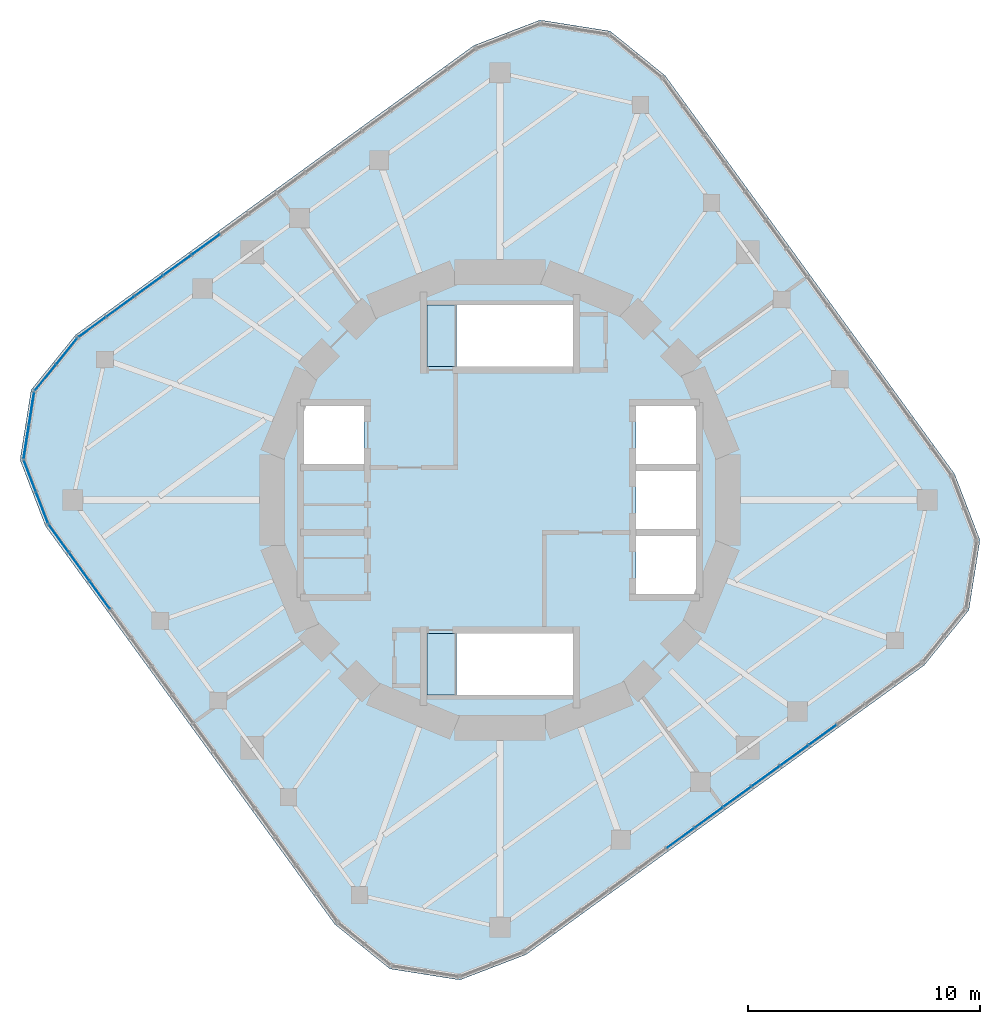
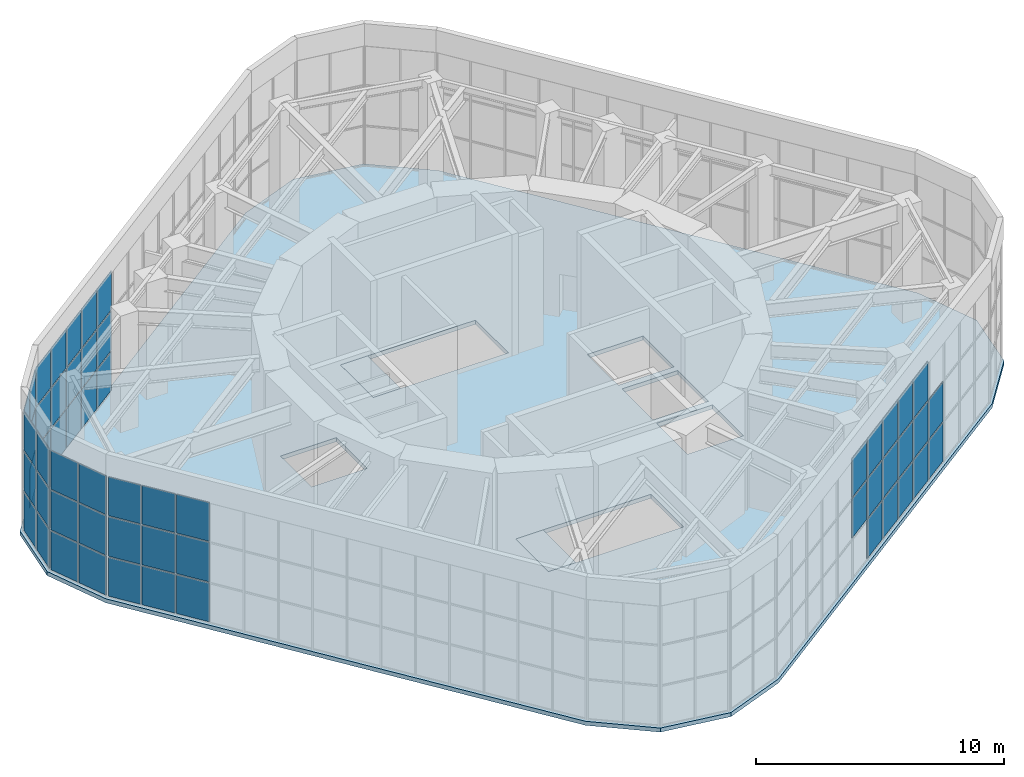
# One storey, part 12 of 17: 58 plates, 3 slabs, 6 elements without a shape of their own.
"""IFC4 building model written with IfcOpenShell, lengths in metres."""

import ifcopenshell
import ifcopenshell.guid

model = None  # the IFC model being written
_history = None  # IfcOwnerHistory: only IFC2X3 demands one
_inside = {}  # id of a spatial element -> (the spatial element, [elements in it])
_under = {}  # id of a project, library or spatial element -> (it, [spatial elements below it])
_declared = {}  # id of a project -> (the project, [libraries it declares])
_typed = {}  # id of a type object -> (the type object, [elements of that type])
_made_of = {}  # id of a material, layer set ... -> (it, [elements and type objects made of it])


def new_model(schema):
    """Start an empty IFC model of exactly this schema.

    Asked for "IFC4X3", IfcOpenShell would pick the latest addendum, in which some entities
    have other attributes; the version numbers below select the first issue.
    IFC2X3 requires an IfcOwnerHistory on every rooted entity: one is made here for all.
    """
    global model, _history
    if schema == "IFC4X3":
        model = ifcopenshell.file(schema_version=(4, 3, 0, 0))
    else:
        model = ifcopenshell.file(schema=schema)
    _inside.clear()
    _under.clear()
    _declared.clear()
    _typed.clear()
    _made_of.clear()
    _history = None
    if model.schema == "IFC2X3":
        org = make("IfcOrganization", Name="unknown")
        user = make(
            "IfcPersonAndOrganization",
            ThePerson=make("IfcPerson", FamilyName="unknown"),
            TheOrganization=org,
        )
        app = make(
            "IfcApplication",
            ApplicationDeveloper=org,
            Version="unknown",
            ApplicationFullName="unknown",
            ApplicationIdentifier="unknown",
        )
        _history = make(
            "IfcOwnerHistory",
            OwningUser=user,
            OwningApplication=app,
            ChangeAction="ADDED",
            CreationDate=0,
        )
    return model


def make(cls, **values):
    """One entity of the class cls with the attributes given. An attribute that is None is left unset."""
    return model.create_entity(
        cls, **{name: value for name, value in values.items() if value is not None}
    )


def rooted(cls, **values):
    """An entity with a GlobalId (a new one), such as an element, a storey or a relation."""
    return make(cls, GlobalId=ifcopenshell.guid.new(), OwnerHistory=_history, **values)


def si_unit(unit_type, name, prefix=None):
    """IfcSIUnit, for example si_unit("LENGTHUNIT", "METRE", prefix="MILLI")."""
    return make("IfcSIUnit", UnitType=unit_type, Prefix=prefix, Name=name)


def assignment(units):
    """IfcUnitAssignment: the units of a project."""
    return None if units is None else make("IfcUnitAssignment", Units=units)


def point(xyz):
    """IfcCartesianPoint."""
    return None if xyz is None else make("IfcCartesianPoint", Coordinates=xyz)


def direction(xyz):
    """IfcDirection."""
    return None if xyz is None else make("IfcDirection", DirectionRatios=xyz)


def frame(location, z_axis=None, x_axis=None):
    """IfcAxis2Placement3D, a coordinate frame: its origin and axes. An axis left out is left unset."""
    return make(
        "IfcAxis2Placement3D",
        Location=point(location),
        Axis=direction(z_axis),
        RefDirection=direction(x_axis),
    )


def frame_2d(location, x_axis=None):
    """IfcAxis2Placement2D, a coordinate frame in the plane: its origin and x axis."""
    return make(
        "IfcAxis2Placement2D", Location=point(location), RefDirection=direction(x_axis)
    )


def origin():
    """The frame at (0, 0, 0) with its axes left unset."""
    return frame((0.0, 0.0, 0.0))


def origin_2d():
    """The frame at (0, 0) in the plane with its x axis left unset."""
    return frame_2d((0.0, 0.0))


def place(relative_to, where):
    """IfcLocalPlacement: puts the frame where relative to a parent placement (None: the world)."""
    return make(
        "IfcLocalPlacement", PlacementRelTo=relative_to, RelativePlacement=where
    )


def context(
    kind, dimensions, precision=None, world=None, true_north=None, identifier=None
):
    """IfcGeometricRepresentationContext, for example the 3D "Model" context."""
    return make(
        "IfcGeometricRepresentationContext",
        ContextIdentifier=identifier,
        ContextType=kind,
        CoordinateSpaceDimension=dimensions,
        Precision=precision,
        WorldCoordinateSystem=world,
        TrueNorth=true_north,
    )


def subcontext(parent, identifier, kind, view, scale=None):
    """IfcGeometricRepresentationSubContext, for example "Body" below "Model"."""
    return make(
        "IfcGeometricRepresentationSubContext",
        ContextIdentifier=identifier,
        ContextType=kind,
        ParentContext=parent,
        TargetScale=scale,
        TargetView=view,
    )


def project(units=None, contexts=None):
    """IfcProject with its units and contexts."""
    return rooted(
        "IfcProject",
        Name="project",
        RepresentationContexts=contexts,
        UnitsInContext=assignment(units),
    )


def spatial(cls, under=None, at=None, **own):
    """A site, building, storey or space (cls), placed at a placement, below another one or the project."""
    s = rooted(cls, ObjectPlacement=at, **own)
    if under is not None:
        _under.setdefault(under.id(), (under, []))[1].append(s)
    return s


def polyline(points):
    """IfcPolyline through the points."""
    return make("IfcPolyline", Points=[point(p) for p in points])


def profile(cls, at=None, kind="AREA", **sizes):
    """A parametric profile (cls). Its sizes go by their IFC names, for example OverallWidth=200.0."""
    return make(cls, ProfileType=kind, Position=at, **sizes)


def rectangle(**sizes):
    """IfcRectangleProfileDef."""
    return profile("IfcRectangleProfileDef", **sizes)


def outline(outer, holes=None, kind="AREA"):
    """IfcArbitraryClosedProfileDef: a profile drawn as a closed curve; with holes, ...WithVoids."""
    if holes is None:
        return make("IfcArbitraryClosedProfileDef", ProfileType=kind, OuterCurve=outer)
    return make(
        "IfcArbitraryProfileDefWithVoids",
        ProfileType=kind,
        OuterCurve=outer,
        InnerCurves=holes,
    )


def extrude(swept, where, along, depth):
    """IfcExtrudedAreaSolid: the profile swept, set in the frame where, extruded along a direction by depth."""
    return make(
        "IfcExtrudedAreaSolid",
        SweptArea=swept,
        Position=where,
        ExtrudedDirection=direction(along),
        Depth=depth,
    )


def shape(context_of_items, identifier, shape_type, items):
    """IfcShapeRepresentation: the items that make up one representation, for example the "Body"."""
    return make(
        "IfcShapeRepresentation",
        ContextOfItems=context_of_items,
        RepresentationIdentifier=identifier,
        RepresentationType=shape_type,
        Items=items,
    )


def material(Name=None, Category=None):
    """IfcMaterial."""
    return make("IfcMaterial", Name=Name, Category=Category)


def layer(
    of_material, thickness, ventilated=None, Name=None, Category=None, Priority=None
):
    """IfcMaterialLayer: one layer of a wall or slab, of a material (None: an air gap)."""
    return make(
        "IfcMaterialLayer",
        Material=of_material,
        LayerThickness=thickness,
        IsVentilated=ventilated,
        Name=Name,
        Category=Category,
        Priority=Priority,
    )


def layer_set(layers, Name=None):
    """IfcMaterialLayerSet."""
    return make("IfcMaterialLayerSet", MaterialLayers=layers, LayerSetName=Name)


def made_of(thing, what):
    """Note that an element or type object is made of a material, layer set ...; save() writes the relation."""
    if what is not None:
        _made_of.setdefault(what.id(), (what, []))[1].append(thing)
    return thing


def type_object(cls, material=None, **own):
    """A type object (cls), such as IfcWallType, which elements share."""
    return made_of(rooted(cls, **own), material)


def element(
    cls,
    number,
    at=None,
    inside=None,
    cuts=None,
    type_object=None,
    material=None,
    context=None,
    identifier="Body",
    shape_type=None,
    held_by="IfcProductDefinitionShape",
    body=None,
    shapes=None,
    **own,
):
    """One element of the class cls, such as IfcWall. Its Tag is "e" and its number.

    at: its placement. inside: the storey or other place that contains it. cuts: it is an
    opening in that element (IfcRelVoidsElement). A single representation is given by context,
    identifier, shape_type and body (its items); several are given by shapes. held_by: the class
    of the entity that holds the representations. save() writes the other relations.
    """
    e = rooted(cls, Tag="e%d" % number, ObjectPlacement=at, **own)
    if body is not None:
        shapes = [shape(context, identifier, shape_type, body)]
    if shapes is not None:
        e.Representation = make(held_by, Representations=shapes)
    if inside is not None:
        _inside.setdefault(inside.id(), (inside, []))[1].append(e)
    if cuts is not None:
        rooted(
            "IfcRelVoidsElement", RelatingBuildingElement=cuts, RelatedOpeningElement=e
        )
    if type_object is not None:
        _typed.setdefault(type_object.id(), (type_object, []))[1].append(e)
    return made_of(e, material)


def aggregate(whole, parts):
    """IfcRelAggregates: a whole, such as a stair, and the parts it consists of."""
    return rooted("IfcRelAggregates", RelatingObject=whole, RelatedObjects=parts)


def save(model, path):
    """Write the relations noted so far, then the file.

    IfcRelAggregates (storeys below a building ...), IfcRelContainedInSpatialStructure (elements
    in a storey), IfcRelDefinesByType, IfcRelAssociatesMaterial and IfcRelDeclares: one each for
    every whole, place, type object, material and project.
    """
    for whole, parts in _under.values():
        aggregate(whole, parts)
    for where, things in _inside.values():
        rooted(
            "IfcRelContainedInSpatialStructure",
            RelatedElements=things,
            RelatingStructure=where,
        )
    for kind, things in _typed.values():
        rooted("IfcRelDefinesByType", RelatedObjects=things, RelatingType=kind)
    for what, things in _made_of.values():
        rooted("IfcRelAssociatesMaterial", RelatedObjects=things, RelatingMaterial=what)
    for by, libraries in _declared.values():
        rooted("IfcRelDeclares", RelatingContext=by, RelatedDefinitions=libraries)
    model.write(path)


model = new_model("IFC4")

# Units and contexts
model_context = context("Model", 3, precision=1e-05, world=origin(), true_north=direction((0.0, 1.0)))
body_context = subcontext(model_context, "Body", "Model", "MODEL_VIEW")
ifc_project = project(units=[si_unit("LENGTHUNIT", "METRE"), si_unit("AREAUNIT", "SQUARE_METRE"), si_unit("VOLUMEUNIT", "CUBIC_METRE"), si_unit("PLANEANGLEUNIT", "RADIAN"), si_unit("MASSUNIT", "GRAM", prefix="KILO")], contexts=[model_context])

# Site, building, storey
site_placement = place(None, origin())
site = spatial("IfcSite", under=ifc_project, at=site_placement, CompositionType="ELEMENT")
building_placement = place(site_placement, origin())
building = spatial("IfcBuilding", under=site, at=building_placement, Name="Nakasero Lantern House", CompositionType="ELEMENT")
storey_placement = place(building_placement, frame((0.0, 0.0, 304.39990234375)))
storey = spatial("IfcBuildingStorey", under=building, at=storey_placement, Name="L74", CompositionType="ELEMENT", Elevation=304.39990234375)

# Slab
ifc_material_1 = material(Name="Concrete C35/45", Category="concrete")
ifc_layer_1 = layer(ifc_material_1, 0.199951171875)
ifc_layer_set_1 = layer_set([ifc_layer_1], Name="Composite floor slab 200")
slab_type_1 = type_object("IfcSlabType", Name="Composite floor slab 200", PredefinedType="FLOOR", material=ifc_layer_set_1)
slab_1_placement = place(storey_placement, frame((0.0, 0.0, -0.199951171875)))
element("IfcSlab", 1, at=slab_1_placement, inside=storey, type_object=slab_type_1, Name="Floor slab L74", PredefinedType="FLOOR", context=body_context, shape_type="SweptSolid", body=[
    extrude(outline(polyline([(7.1181640625, 18.27392578125), (4.744873046875, 20.196044921875), (1.728271484375, 20.673828125), (-1.122802734375, 19.579345703125), (-18.27392578125, 7.1181640625), (-20.196044921875, 4.744873046875), (-20.673828125, 1.728271484375), (-19.579345703125, -1.122802734375), (-7.1181640625, -18.27392578125), (-4.744873046875, -20.196044921875), (-1.728271484375, -20.673828125), (1.122802734375, -19.579345703125), (18.27392578125, -7.1181640625), (20.196044921875, -4.744873046875), (20.673828125, -1.728271484375), (19.579345703125, 1.122802734375), (7.1181640625, 18.27392578125)]), holes=[polyline([(-8.449951171875, 1.550048828125), (-5.85009765625, 1.550048828125), (-5.85009765625, 4.050048828125), (-8.449951171875, 4.050048828125), (-8.449951171875, 1.550048828125)]), polyline([(5.85009765625, -4.050048828125), (8.449951171875, -4.050048828125), (8.449951171875, -1.550048828125), (5.85009765625, -1.550048828125), (5.85009765625, -4.050048828125)]), polyline([(5.85009765625, -1.25), (8.449951171875, -1.25), (8.449951171875, 1.25), (5.85009765625, 1.25), (5.85009765625, -1.25)]), polyline([(5.85009765625, 1.550048828125), (8.449951171875, 1.550048828125), (8.449951171875, 4.050048828125), (5.85009765625, 4.050048828125), (5.85009765625, 1.550048828125)]), polyline([(-3.14990234375, 5.75), (3.14990234375, 5.75), (3.14990234375, 8.39990234375), (-3.14990234375, 8.39990234375), (-3.14990234375, 5.75)]), polyline([(-3.14990234375, -8.39990234375), (3.14990234375, -8.39990234375), (3.14990234375, -5.75), (-3.14990234375, -5.75), (-3.14990234375, -8.39990234375)])]), origin(), (0.0, 0.0, 1.0), 0.199951171875),
])

# Curtain wall, plates
ifc_material_2 = material(Name="Aluminium 6063-T6 and glass", Category="aluminium")
curtain_wall_type = type_object("IfcCurtainWallType", Name="Lantern glazing CW-4", PredefinedType="USERDEFINED", material=ifc_material_2)
curtain_wall_1_placement = place(storey_placement, origin())
curtain_wall_1 = element("IfcCurtainWall", 2, at=curtain_wall_1_placement, inside=storey, type_object=curtain_wall_type, Name="Curtain wall CW-4 L74", ObjectType="UNITISED CURTAIN WALL", PredefinedType="USERDEFINED")
ifc_material_3 = material(Name="Glass", Category="glass")
ifc_layer_2 = layer(ifc_material_3, 0.028076171875)
ifc_layer_set_2 = layer_set([ifc_layer_2], Name="Glazed panel CW-4")
plate_type = type_object("IfcPlateType", Name="Glazed panel CW-4", PredefinedType="CURTAIN_PANEL", material=ifc_layer_set_2)
plate_1_placement = place(storey_placement, frame((-12.673095703125, 11.002197265625, 0.06005859375), z_axis=(0.0, 0.0, 1.0), x_axis=(-0.809016994375, -0.587785252292, 0.0)))
plate_1 = element("IfcPlate", 3, at=plate_1_placement, type_object=plate_type, Name="CW-4 panel 10.1", PredefinedType="CURTAIN_PANEL", context=body_context, shape_type="SweptSolid", body=[
    extrude(rectangle(XDim=1.454345703125, YDim=0.028076171875, at=origin_2d()), origin(), (0.0, 0.0, 1.0), 1.909912109375),
])
plate_2_placement = place(storey_placement, frame((-12.673095703125, 11.002197265625, 2.030029296875), z_axis=(0.0, 0.0, 1.0), x_axis=(-0.809016994375, -0.587785252292, 0.0)))
plate_2 = element("IfcPlate", 4, at=plate_2_placement, type_object=plate_type, Name="CW-4 panel 10.2", PredefinedType="CURTAIN_PANEL", context=body_context, shape_type="SweptSolid", body=[
    extrude(rectangle(XDim=1.454345703125, YDim=0.028076171875, at=origin_2d()), origin(), (0.0, 0.0, 1.0), 1.93994140625),
])
plate_3_placement = place(storey_placement, frame((-12.673095703125, 11.002197265625, 4.0302734375), z_axis=(0.0, 0.0, 1.0), x_axis=(-0.809016994375, -0.587785252292, 0.0)))
plate_3 = element("IfcPlate", 5, at=plate_3_placement, type_object=plate_type, Name="CW-4 panel 10.3", PredefinedType="CURTAIN_PANEL", context=body_context, shape_type="SweptSolid", body=[
    extrude(rectangle(XDim=1.454345703125, YDim=0.028076171875, at=origin_2d()), origin(), (0.0, 0.0, 1.0), 1.909912109375),
])
plate_4_placement = place(storey_placement, frame((-13.898193359375, 10.112060546875, 0.06005859375), z_axis=(0.0, 0.0, 1.0), x_axis=(-0.809016994375, -0.587785252292, 0.0)))
plate_4 = element("IfcPlate", 6, at=plate_4_placement, type_object=plate_type, Name="CW-4 panel 11.1", PredefinedType="CURTAIN_PANEL", context=body_context, shape_type="SweptSolid", body=[
    extrude(rectangle(XDim=1.454345703125, YDim=0.028076171875, at=origin_2d()), origin(), (0.0, 0.0, 1.0), 1.909912109375),
])
plate_5_placement = place(storey_placement, frame((-13.898193359375, 10.112060546875, 2.030029296875), z_axis=(0.0, 0.0, 1.0), x_axis=(-0.809016994375, -0.587785252292, 0.0)))
plate_5 = element("IfcPlate", 7, at=plate_5_placement, type_object=plate_type, Name="CW-4 panel 11.2", PredefinedType="CURTAIN_PANEL", context=body_context, shape_type="SweptSolid", body=[
    extrude(rectangle(XDim=1.454345703125, YDim=0.028076171875, at=origin_2d()), origin(), (0.0, 0.0, 1.0), 1.93994140625),
])
plate_6_placement = place(storey_placement, frame((-13.898193359375, 10.112060546875, 4.0302734375), z_axis=(0.0, 0.0, 1.0), x_axis=(-0.809016994375, -0.587785252292, 0.0)))
plate_6 = element("IfcPlate", 8, at=plate_6_placement, type_object=plate_type, Name="CW-4 panel 11.3", PredefinedType="CURTAIN_PANEL", context=body_context, shape_type="SweptSolid", body=[
    extrude(rectangle(XDim=1.454345703125, YDim=0.028076171875, at=origin_2d()), origin(), (0.0, 0.0, 1.0), 1.909912109375),
])
plate_7_placement = place(storey_placement, frame((-15.123046875, 9.22216796875, 0.06005859375), z_axis=(0.0, 0.0, 1.0), x_axis=(-0.809016994375, -0.587785252292, 0.0)))
plate_7 = element("IfcPlate", 9, at=plate_7_placement, type_object=plate_type, Name="CW-4 panel 12.1", PredefinedType="CURTAIN_PANEL", context=body_context, shape_type="SweptSolid", body=[
    extrude(rectangle(XDim=1.454345703125, YDim=0.028076171875, at=origin_2d()), origin(), (0.0, 0.0, 1.0), 1.909912109375),
])
plate_8_placement = place(storey_placement, frame((-15.123046875, 9.22216796875, 2.030029296875), z_axis=(0.0, 0.0, 1.0), x_axis=(-0.809016994375, -0.587785252292, 0.0)))
plate_8 = element("IfcPlate", 10, at=plate_8_placement, type_object=plate_type, Name="CW-4 panel 12.2", PredefinedType="CURTAIN_PANEL", context=body_context, shape_type="SweptSolid", body=[
    extrude(rectangle(XDim=1.454345703125, YDim=0.028076171875, at=origin_2d()), origin(), (0.0, 0.0, 1.0), 1.93994140625),
])
plate_9_placement = place(storey_placement, frame((-15.123046875, 9.22216796875, 4.0302734375), z_axis=(0.0, 0.0, 1.0), x_axis=(-0.809016994375, -0.587785252292, 0.0)))
plate_9 = element("IfcPlate", 11, at=plate_9_placement, type_object=plate_type, Name="CW-4 panel 12.3", PredefinedType="CURTAIN_PANEL", context=body_context, shape_type="SweptSolid", body=[
    extrude(rectangle(XDim=1.454345703125, YDim=0.028076171875, at=origin_2d()), origin(), (0.0, 0.0, 1.0), 1.909912109375),
])
plate_10_placement = place(storey_placement, frame((-16.34814453125, 8.33203125, 0.06005859375), z_axis=(0.0, 0.0, 1.0), x_axis=(-0.809016994375, -0.587785252292, 0.0)))
plate_10 = element("IfcPlate", 12, at=plate_10_placement, type_object=plate_type, Name="CW-4 panel 13.1", PredefinedType="CURTAIN_PANEL", context=body_context, shape_type="SweptSolid", body=[
    extrude(rectangle(XDim=1.454345703125, YDim=0.028076171875, at=origin_2d()), origin(), (0.0, 0.0, 1.0), 1.909912109375),
])
plate_11_placement = place(storey_placement, frame((-16.34814453125, 8.33203125, 2.030029296875), z_axis=(0.0, 0.0, 1.0), x_axis=(-0.809016994375, -0.587785252292, 0.0)))
plate_11 = element("IfcPlate", 13, at=plate_11_placement, type_object=plate_type, Name="CW-4 panel 13.2", PredefinedType="CURTAIN_PANEL", context=body_context, shape_type="SweptSolid", body=[
    extrude(rectangle(XDim=1.454345703125, YDim=0.028076171875, at=origin_2d()), origin(), (0.0, 0.0, 1.0), 1.93994140625),
])
plate_12_placement = place(storey_placement, frame((-16.34814453125, 8.33203125, 4.0302734375), z_axis=(0.0, 0.0, 1.0), x_axis=(-0.809016994375, -0.587785252292, 0.0)))
plate_12 = element("IfcPlate", 14, at=plate_12_placement, type_object=plate_type, Name="CW-4 panel 13.3", PredefinedType="CURTAIN_PANEL", context=body_context, shape_type="SweptSolid", body=[
    extrude(rectangle(XDim=1.454345703125, YDim=0.028076171875, at=origin_2d()), origin(), (0.0, 0.0, 1.0), 1.909912109375),
])
plate_13_placement = place(storey_placement, frame((-17.561279296875, 7.45068359375, 0.06005859375), z_axis=(0.0, 0.0, 1.0), x_axis=(-0.809016994375, -0.587785252292, 0.0)))
plate_13 = element("IfcPlate", 15, at=plate_13_placement, type_object=plate_type, Name="CW-4 panel 14.1", PredefinedType="CURTAIN_PANEL", context=body_context, shape_type="SweptSolid", body=[
    extrude(rectangle(XDim=1.42431640625, YDim=0.028076171875, at=origin_2d()), origin(), (0.0, 0.0, 1.0), 1.909912109375),
])
plate_14_placement = place(storey_placement, frame((-17.561279296875, 7.45068359375, 2.030029296875), z_axis=(0.0, 0.0, 1.0), x_axis=(-0.809016994375, -0.587785252292, 0.0)))
plate_14 = element("IfcPlate", 16, at=plate_14_placement, type_object=plate_type, Name="CW-4 panel 14.2", PredefinedType="CURTAIN_PANEL", context=body_context, shape_type="SweptSolid", body=[
    extrude(rectangle(XDim=1.42431640625, YDim=0.028076171875, at=origin_2d()), origin(), (0.0, 0.0, 1.0), 1.93994140625),
])
plate_15_placement = place(storey_placement, frame((-17.561279296875, 7.45068359375, 4.0302734375), z_axis=(0.0, 0.0, 1.0), x_axis=(-0.809016994375, -0.587785252292, 0.0)))
plate_15 = element("IfcPlate", 17, at=plate_15_placement, type_object=plate_type, Name="CW-4 panel 14.3", PredefinedType="CURTAIN_PANEL", context=body_context, shape_type="SweptSolid", body=[
    extrude(rectangle(XDim=1.42431640625, YDim=0.028076171875, at=origin_2d()), origin(), (0.0, 0.0, 1.0), 1.909912109375),
])
aggregate(curtain_wall_1, [plate_1, plate_2, plate_3, plate_4, plate_5, plate_6, plate_7, plate_8, plate_9, plate_10, plate_11, plate_12, plate_13, plate_14, plate_15])

curtain_wall_2_placement = place(storey_placement, origin())
curtain_wall_2 = element("IfcCurtainWall", 18, at=curtain_wall_2_placement, inside=storey, type_object=curtain_wall_type, Name="Curtain wall CW-4 L74", ObjectType="UNITISED CURTAIN WALL", PredefinedType="USERDEFINED")
plate_16_placement = place(storey_placement, frame((-18.66357421875, 6.406982421875, 0.06005859375), z_axis=(0.0, 0.0, 1.0), x_axis=(-0.629320391091, -0.777145961424, 0.0)))
plate_16 = element("IfcPlate", 19, at=plate_16_placement, type_object=plate_type, Name="CW-4 panel 1.1", PredefinedType="CURTAIN_PANEL", context=body_context, shape_type="SweptSolid", body=[
    extrude(rectangle(XDim=1.398193359375, YDim=0.028076171875, at=origin_2d()), origin(), (0.0, 0.0, 1.0), 1.909912109375),
])
plate_17_placement = place(storey_placement, frame((-18.66357421875, 6.406982421875, 2.030029296875), z_axis=(0.0, 0.0, 1.0), x_axis=(-0.629320391091, -0.777145961424, 0.0)))
plate_17 = element("IfcPlate", 20, at=plate_17_placement, type_object=plate_type, Name="CW-4 panel 1.2", PredefinedType="CURTAIN_PANEL", context=body_context, shape_type="SweptSolid", body=[
    extrude(rectangle(XDim=1.398193359375, YDim=0.028076171875, at=origin_2d()), origin(), (0.0, 0.0, 1.0), 1.93994140625),
])
plate_18_placement = place(storey_placement, frame((-18.66357421875, 6.406982421875, 4.0302734375), z_axis=(0.0, 0.0, 1.0), x_axis=(-0.629320391091, -0.777145961424, 0.0)))
plate_18 = element("IfcPlate", 21, at=plate_18_placement, type_object=plate_type, Name="CW-4 panel 1.3", PredefinedType="CURTAIN_PANEL", context=body_context, shape_type="SweptSolid", body=[
    extrude(rectangle(XDim=1.398193359375, YDim=0.028076171875, at=origin_2d()), origin(), (0.0, 0.0, 1.0), 1.909912109375),
])
plate_19_placement = place(storey_placement, frame((-19.581298828125, 5.273681640625, 0.06005859375), z_axis=(0.0, 0.0, 1.0), x_axis=(-0.629320391091, -0.777145961424, 0.0)))
plate_19 = element("IfcPlate", 22, at=plate_19_placement, type_object=plate_type, Name="CW-4 panel 2.1", PredefinedType="CURTAIN_PANEL", context=body_context, shape_type="SweptSolid", body=[
    extrude(rectangle(XDim=1.398193359375, YDim=0.028076171875, at=origin_2d()), origin(), (0.0, 0.0, 1.0), 1.909912109375),
])
plate_20_placement = place(storey_placement, frame((-19.581298828125, 5.273681640625, 2.030029296875), z_axis=(0.0, 0.0, 1.0), x_axis=(-0.629320391091, -0.777145961424, 0.0)))
plate_20 = element("IfcPlate", 23, at=plate_20_placement, type_object=plate_type, Name="CW-4 panel 2.2", PredefinedType="CURTAIN_PANEL", context=body_context, shape_type="SweptSolid", body=[
    extrude(rectangle(XDim=1.398193359375, YDim=0.028076171875, at=origin_2d()), origin(), (0.0, 0.0, 1.0), 1.93994140625),
])
plate_21_placement = place(storey_placement, frame((-19.581298828125, 5.273681640625, 4.0302734375), z_axis=(0.0, 0.0, 1.0), x_axis=(-0.629320391091, -0.777145961424, 0.0)))
plate_21 = element("IfcPlate", 24, at=plate_21_placement, type_object=plate_type, Name="CW-4 panel 2.3", PredefinedType="CURTAIN_PANEL", context=body_context, shape_type="SweptSolid", body=[
    extrude(rectangle(XDim=1.398193359375, YDim=0.028076171875, at=origin_2d()), origin(), (0.0, 0.0, 1.0), 1.909912109375),
])
aggregate(curtain_wall_2, [plate_16, plate_17, plate_18, plate_19, plate_20, plate_21])

curtain_wall_3_placement = place(storey_placement, origin())
curtain_wall_3 = element("IfcCurtainWall", 25, at=curtain_wall_3_placement, inside=storey, type_object=curtain_wall_type, Name="Curtain wall CW-4 L74", ObjectType="UNITISED CURTAIN WALL", PredefinedType="USERDEFINED")
plate_22_placement = place(storey_placement, frame((-20.177734375, 3.93408203125, 0.06005859375), z_axis=(0.0, 0.0, 1.0), x_axis=(-0.15643446504, -0.987688340595, 0.0)))
plate_22 = element("IfcPlate", 26, at=plate_22_placement, type_object=plate_type, Name="CW-4 panel 1.1", PredefinedType="CURTAIN_PANEL", context=body_context, shape_type="SweptSolid", body=[
    extrude(rectangle(XDim=1.398193359375, YDim=0.028076171875, at=origin_2d()), origin(), (0.0, 0.0, 1.0), 1.909912109375),
])
plate_23_placement = place(storey_placement, frame((-20.177734375, 3.93408203125, 2.030029296875), z_axis=(0.0, 0.0, 1.0), x_axis=(-0.15643446504, -0.987688340595, 0.0)))
plate_23 = element("IfcPlate", 27, at=plate_23_placement, type_object=plate_type, Name="CW-4 panel 1.2", PredefinedType="CURTAIN_PANEL", context=body_context, shape_type="SweptSolid", body=[
    extrude(rectangle(XDim=1.398193359375, YDim=0.028076171875, at=origin_2d()), origin(), (0.0, 0.0, 1.0), 1.93994140625),
])
plate_24_placement = place(storey_placement, frame((-20.177734375, 3.93408203125, 4.0302734375), z_axis=(0.0, 0.0, 1.0), x_axis=(-0.15643446504, -0.987688340595, 0.0)))
plate_24 = element("IfcPlate", 28, at=plate_24_placement, type_object=plate_type, Name="CW-4 panel 1.3", PredefinedType="CURTAIN_PANEL", context=body_context, shape_type="SweptSolid", body=[
    extrude(rectangle(XDim=1.398193359375, YDim=0.028076171875, at=origin_2d()), origin(), (0.0, 0.0, 1.0), 1.909912109375),
])
plate_25_placement = place(storey_placement, frame((-20.40576171875, 2.493896484375, 0.06005859375), z_axis=(0.0, 0.0, 1.0), x_axis=(-0.15643446504, -0.987688340595, 0.0)))
plate_25 = element("IfcPlate", 29, at=plate_25_placement, type_object=plate_type, Name="CW-4 panel 2.1", PredefinedType="CURTAIN_PANEL", context=body_context, shape_type="SweptSolid", body=[
    extrude(rectangle(XDim=1.398193359375, YDim=0.028076171875, at=origin_2d()), origin(), (0.0, 0.0, 1.0), 1.909912109375),
])
plate_26_placement = place(storey_placement, frame((-20.40576171875, 2.493896484375, 2.030029296875), z_axis=(0.0, 0.0, 1.0), x_axis=(-0.15643446504, -0.987688340595, 0.0)))
plate_26 = element("IfcPlate", 30, at=plate_26_placement, type_object=plate_type, Name="CW-4 panel 2.2", PredefinedType="CURTAIN_PANEL", context=body_context, shape_type="SweptSolid", body=[
    extrude(rectangle(XDim=1.398193359375, YDim=0.028076171875, at=origin_2d()), origin(), (0.0, 0.0, 1.0), 1.93994140625),
])
plate_27_placement = place(storey_placement, frame((-20.40576171875, 2.493896484375, 4.0302734375), z_axis=(0.0, 0.0, 1.0), x_axis=(-0.15643446504, -0.987688340595, 0.0)))
plate_27 = element("IfcPlate", 31, at=plate_27_placement, type_object=plate_type, Name="CW-4 panel 2.3", PredefinedType="CURTAIN_PANEL", context=body_context, shape_type="SweptSolid", body=[
    extrude(rectangle(XDim=1.398193359375, YDim=0.028076171875, at=origin_2d()), origin(), (0.0, 0.0, 1.0), 1.909912109375),
])
aggregate(curtain_wall_3, [plate_22, plate_23, plate_24, plate_25, plate_26, plate_27])

curtain_wall_4_placement = place(storey_placement, origin())
curtain_wall_4 = element("IfcCurtainWall", 32, at=curtain_wall_4_placement, inside=storey, type_object=curtain_wall_type, Name="Curtain wall CW-4 L74", ObjectType="UNITISED CURTAIN WALL", PredefinedType="USERDEFINED")
plate_28_placement = place(storey_placement, frame((-20.252685546875, 1.035400390625, 0.06005859375), z_axis=(0.0, 0.0, 1.0), x_axis=(0.35836794961, -0.933580426472, 0.0)))
plate_28 = element("IfcPlate", 33, at=plate_28_placement, type_object=plate_type, Name="CW-4 panel 1.1", PredefinedType="CURTAIN_PANEL", context=body_context, shape_type="SweptSolid", body=[
    extrude(rectangle(XDim=1.398193359375, YDim=0.028076171875, at=origin_2d()), origin(), (0.0, 0.0, 1.0), 1.909912109375),
])
plate_29_placement = place(storey_placement, frame((-20.252685546875, 1.035400390625, 2.030029296875), z_axis=(0.0, 0.0, 1.0), x_axis=(0.35836794961, -0.933580426472, 0.0)))
plate_29 = element("IfcPlate", 34, at=plate_29_placement, type_object=plate_type, Name="CW-4 panel 1.2", PredefinedType="CURTAIN_PANEL", context=body_context, shape_type="SweptSolid", body=[
    extrude(rectangle(XDim=1.398193359375, YDim=0.028076171875, at=origin_2d()), origin(), (0.0, 0.0, 1.0), 1.93994140625),
])
plate_30_placement = place(storey_placement, frame((-20.252685546875, 1.035400390625, 4.0302734375), z_axis=(0.0, 0.0, 1.0), x_axis=(0.35836794961, -0.933580426472, 0.0)))
plate_30 = element("IfcPlate", 35, at=plate_30_placement, type_object=plate_type, Name="CW-4 panel 1.3", PredefinedType="CURTAIN_PANEL", context=body_context, shape_type="SweptSolid", body=[
    extrude(rectangle(XDim=1.398193359375, YDim=0.028076171875, at=origin_2d()), origin(), (0.0, 0.0, 1.0), 1.909912109375),
])
plate_31_placement = place(storey_placement, frame((-19.72998046875, -0.325927734375, 0.06005859375), z_axis=(0.0, 0.0, 1.0), x_axis=(0.35836794961, -0.933580426472, 0.0)))
plate_31 = element("IfcPlate", 36, at=plate_31_placement, type_object=plate_type, Name="CW-4 panel 2.1", PredefinedType="CURTAIN_PANEL", context=body_context, shape_type="SweptSolid", body=[
    extrude(rectangle(XDim=1.398193359375, YDim=0.028076171875, at=origin_2d()), origin(), (0.0, 0.0, 1.0), 1.909912109375),
])
plate_32_placement = place(storey_placement, frame((-19.72998046875, -0.325927734375, 2.030029296875), z_axis=(0.0, 0.0, 1.0), x_axis=(0.35836794961, -0.933580426472, 0.0)))
plate_32 = element("IfcPlate", 37, at=plate_32_placement, type_object=plate_type, Name="CW-4 panel 2.2", PredefinedType="CURTAIN_PANEL", context=body_context, shape_type="SweptSolid", body=[
    extrude(rectangle(XDim=1.398193359375, YDim=0.028076171875, at=origin_2d()), origin(), (0.0, 0.0, 1.0), 1.93994140625),
])
plate_33_placement = place(storey_placement, frame((-19.72998046875, -0.325927734375, 4.0302734375), z_axis=(0.0, 0.0, 1.0), x_axis=(0.35836794961, -0.933580426472, 0.0)))
plate_33 = element("IfcPlate", 38, at=plate_33_placement, type_object=plate_type, Name="CW-4 panel 2.3", PredefinedType="CURTAIN_PANEL", context=body_context, shape_type="SweptSolid", body=[
    extrude(rectangle(XDim=1.398193359375, YDim=0.028076171875, at=origin_2d()), origin(), (0.0, 0.0, 1.0), 1.909912109375),
])
aggregate(curtain_wall_4, [plate_28, plate_29, plate_30, plate_31, plate_32, plate_33])

curtain_wall_5_placement = place(storey_placement, origin())
curtain_wall_5 = element("IfcCurtainWall", 39, at=curtain_wall_5_placement, inside=storey, type_object=curtain_wall_type, Name="Curtain wall CW-4 L74", ObjectType="UNITISED CURTAIN WALL", PredefinedType="USERDEFINED")
plate_34_placement = place(storey_placement, frame((-19.004150390625, -1.659423828125, 0.06005859375), z_axis=(0.0, 0.0, 1.0), x_axis=(0.587785252292, -0.809016994375, 0.0)))
plate_34 = element("IfcPlate", 40, at=plate_34_placement, type_object=plate_type, Name="CW-4 panel 1.1", PredefinedType="CURTAIN_PANEL", context=body_context, shape_type="SweptSolid", body=[
    extrude(rectangle(XDim=1.42431640625, YDim=0.028076171875, at=origin_2d()), origin(), (0.0, 0.0, 1.0), 1.909912109375),
])
plate_35_placement = place(storey_placement, frame((-19.004150390625, -1.659423828125, 2.030029296875), z_axis=(0.0, 0.0, 1.0), x_axis=(0.587785252292, -0.809016994375, 0.0)))
plate_35 = element("IfcPlate", 41, at=plate_35_placement, type_object=plate_type, Name="CW-4 panel 1.2", PredefinedType="CURTAIN_PANEL", context=body_context, shape_type="SweptSolid", body=[
    extrude(rectangle(XDim=1.42431640625, YDim=0.028076171875, at=origin_2d()), origin(), (0.0, 0.0, 1.0), 1.93994140625),
])
plate_36_placement = place(storey_placement, frame((-19.004150390625, -1.659423828125, 4.0302734375), z_axis=(0.0, 0.0, 1.0), x_axis=(0.587785252292, -0.809016994375, 0.0)))
plate_36 = element("IfcPlate", 42, at=plate_36_placement, type_object=plate_type, Name="CW-4 panel 1.3", PredefinedType="CURTAIN_PANEL", context=body_context, shape_type="SweptSolid", body=[
    extrude(rectangle(XDim=1.42431640625, YDim=0.028076171875, at=origin_2d()), origin(), (0.0, 0.0, 1.0), 1.909912109375),
])
plate_37_placement = place(storey_placement, frame((-18.122802734375, -2.872314453125, 0.06005859375), z_axis=(0.0, 0.0, 1.0), x_axis=(0.587785252292, -0.809016994375, 0.0)))
plate_37 = element("IfcPlate", 43, at=plate_37_placement, type_object=plate_type, Name="CW-4 panel 2.1", PredefinedType="CURTAIN_PANEL", context=body_context, shape_type="SweptSolid", body=[
    extrude(rectangle(XDim=1.454345703125, YDim=0.028076171875, at=origin_2d()), origin(), (0.0, 0.0, 1.0), 1.909912109375),
])
plate_38_placement = place(storey_placement, frame((-18.122802734375, -2.872314453125, 2.030029296875), z_axis=(0.0, 0.0, 1.0), x_axis=(0.587785252292, -0.809016994375, 0.0)))
plate_38 = element("IfcPlate", 44, at=plate_38_placement, type_object=plate_type, Name="CW-4 panel 2.2", PredefinedType="CURTAIN_PANEL", context=body_context, shape_type="SweptSolid", body=[
    extrude(rectangle(XDim=1.454345703125, YDim=0.028076171875, at=origin_2d()), origin(), (0.0, 0.0, 1.0), 1.93994140625),
])
plate_39_placement = place(storey_placement, frame((-18.122802734375, -2.872314453125, 4.0302734375), z_axis=(0.0, 0.0, 1.0), x_axis=(0.587785252292, -0.809016994375, 0.0)))
plate_39 = element("IfcPlate", 45, at=plate_39_placement, type_object=plate_type, Name="CW-4 panel 2.3", PredefinedType="CURTAIN_PANEL", context=body_context, shape_type="SweptSolid", body=[
    extrude(rectangle(XDim=1.454345703125, YDim=0.028076171875, at=origin_2d()), origin(), (0.0, 0.0, 1.0), 1.909912109375),
])
plate_40_placement = place(storey_placement, frame((-17.232666015625, -4.097412109375, 0.06005859375), z_axis=(0.0, 0.0, 1.0), x_axis=(0.587785252292, -0.809016994375, 0.0)))
plate_40 = element("IfcPlate", 46, at=plate_40_placement, type_object=plate_type, Name="CW-4 panel 3.1", PredefinedType="CURTAIN_PANEL", context=body_context, shape_type="SweptSolid", body=[
    extrude(rectangle(XDim=1.454345703125, YDim=0.028076171875, at=origin_2d()), origin(), (0.0, 0.0, 1.0), 1.909912109375),
])
plate_41_placement = place(storey_placement, frame((-17.232666015625, -4.097412109375, 2.030029296875), z_axis=(0.0, 0.0, 1.0), x_axis=(0.587785252292, -0.809016994375, 0.0)))
plate_41 = element("IfcPlate", 47, at=plate_41_placement, type_object=plate_type, Name="CW-4 panel 3.2", PredefinedType="CURTAIN_PANEL", context=body_context, shape_type="SweptSolid", body=[
    extrude(rectangle(XDim=1.454345703125, YDim=0.028076171875, at=origin_2d()), origin(), (0.0, 0.0, 1.0), 1.93994140625),
])
plate_42_placement = place(storey_placement, frame((-17.232666015625, -4.097412109375, 4.0302734375), z_axis=(0.0, 0.0, 1.0), x_axis=(0.587785252292, -0.809016994375, 0.0)))
plate_42 = element("IfcPlate", 48, at=plate_42_placement, type_object=plate_type, Name="CW-4 panel 3.3", PredefinedType="CURTAIN_PANEL", context=body_context, shape_type="SweptSolid", body=[
    extrude(rectangle(XDim=1.454345703125, YDim=0.028076171875, at=origin_2d()), origin(), (0.0, 0.0, 1.0), 1.909912109375),
])
aggregate(curtain_wall_5, [plate_34, plate_35, plate_36, plate_37, plate_38, plate_39, plate_40, plate_41, plate_42])

curtain_wall_6_placement = place(storey_placement, origin())
curtain_wall_6 = element("IfcCurtainWall", 49, at=curtain_wall_6_placement, inside=storey, type_object=curtain_wall_type, Name="Curtain wall CW-4 L74", ObjectType="UNITISED CURTAIN WALL", PredefinedType="USERDEFINED")
plate_43_placement = place(storey_placement, frame((7.772705078125, -14.5625, 2.030029296875), z_axis=(0.0, 0.0, 1.0), x_axis=(0.809016994375, 0.587785252292, 0.0)))
plate_43 = element("IfcPlate", 50, at=plate_43_placement, type_object=plate_type, Name="CW-4 panel 6.2", PredefinedType="CURTAIN_PANEL", context=body_context, shape_type="SweptSolid", body=[
    extrude(rectangle(XDim=1.454345703125, YDim=0.028076171875, at=origin_2d()), origin(), (0.0, 0.0, 1.0), 1.93994140625),
])
plate_44_placement = place(storey_placement, frame((7.772705078125, -14.5625, 4.0302734375), z_axis=(0.0, 0.0, 1.0), x_axis=(0.809016994375, 0.587785252292, 0.0)))
plate_44 = element("IfcPlate", 51, at=plate_44_placement, type_object=plate_type, Name="CW-4 panel 6.3", PredefinedType="CURTAIN_PANEL", context=body_context, shape_type="SweptSolid", body=[
    extrude(rectangle(XDim=1.454345703125, YDim=0.028076171875, at=origin_2d()), origin(), (0.0, 0.0, 1.0), 1.909912109375),
])
plate_45_placement = place(storey_placement, frame((8.997802734375, -13.67236328125, 0.06005859375), z_axis=(0.0, 0.0, 1.0), x_axis=(0.809016994375, 0.587785252292, 0.0)))
plate_45 = element("IfcPlate", 52, at=plate_45_placement, type_object=plate_type, Name="CW-4 panel 7.1", PredefinedType="CURTAIN_PANEL", context=body_context, shape_type="SweptSolid", body=[
    extrude(rectangle(XDim=1.454345703125, YDim=0.028076171875, at=origin_2d()), origin(), (0.0, 0.0, 1.0), 1.909912109375),
])
plate_46_placement = place(storey_placement, frame((8.997802734375, -13.67236328125, 2.030029296875), z_axis=(0.0, 0.0, 1.0), x_axis=(0.809016994375, 0.587785252292, 0.0)))
plate_46 = element("IfcPlate", 53, at=plate_46_placement, type_object=plate_type, Name="CW-4 panel 7.2", PredefinedType="CURTAIN_PANEL", context=body_context, shape_type="SweptSolid", body=[
    extrude(rectangle(XDim=1.454345703125, YDim=0.028076171875, at=origin_2d()), origin(), (0.0, 0.0, 1.0), 1.93994140625),
])
plate_47_placement = place(storey_placement, frame((8.997802734375, -13.67236328125, 4.0302734375), z_axis=(0.0, 0.0, 1.0), x_axis=(0.809016994375, 0.587785252292, 0.0)))
plate_47 = element("IfcPlate", 54, at=plate_47_placement, type_object=plate_type, Name="CW-4 panel 7.3", PredefinedType="CURTAIN_PANEL", context=body_context, shape_type="SweptSolid", body=[
    extrude(rectangle(XDim=1.454345703125, YDim=0.028076171875, at=origin_2d()), origin(), (0.0, 0.0, 1.0), 1.909912109375),
])
plate_48_placement = place(storey_placement, frame((10.222900390625, -12.782470703125, 0.06005859375), z_axis=(0.0, 0.0, 1.0), x_axis=(0.809016994375, 0.587785252292, 0.0)))
plate_48 = element("IfcPlate", 55, at=plate_48_placement, type_object=plate_type, Name="CW-4 panel 8.1", PredefinedType="CURTAIN_PANEL", context=body_context, shape_type="SweptSolid", body=[
    extrude(rectangle(XDim=1.454345703125, YDim=0.028076171875, at=origin_2d()), origin(), (0.0, 0.0, 1.0), 1.909912109375),
])
plate_49_placement = place(storey_placement, frame((10.222900390625, -12.782470703125, 2.030029296875), z_axis=(0.0, 0.0, 1.0), x_axis=(0.809016994375, 0.587785252292, 0.0)))
plate_49 = element("IfcPlate", 56, at=plate_49_placement, type_object=plate_type, Name="CW-4 panel 8.2", PredefinedType="CURTAIN_PANEL", context=body_context, shape_type="SweptSolid", body=[
    extrude(rectangle(XDim=1.454345703125, YDim=0.028076171875, at=origin_2d()), origin(), (0.0, 0.0, 1.0), 1.93994140625),
])
plate_50_placement = place(storey_placement, frame((10.222900390625, -12.782470703125, 4.0302734375), z_axis=(0.0, 0.0, 1.0), x_axis=(0.809016994375, 0.587785252292, 0.0)))
plate_50 = element("IfcPlate", 57, at=plate_50_placement, type_object=plate_type, Name="CW-4 panel 8.3", PredefinedType="CURTAIN_PANEL", context=body_context, shape_type="SweptSolid", body=[
    extrude(rectangle(XDim=1.454345703125, YDim=0.028076171875, at=origin_2d()), origin(), (0.0, 0.0, 1.0), 1.909912109375),
])
plate_51_placement = place(storey_placement, frame((11.447998046875, -11.892333984375, 0.06005859375), z_axis=(0.0, 0.0, 1.0), x_axis=(0.809016994375, 0.587785252292, 0.0)))
plate_51 = element("IfcPlate", 58, at=plate_51_placement, type_object=plate_type, Name="CW-4 panel 9.1", PredefinedType="CURTAIN_PANEL", context=body_context, shape_type="SweptSolid", body=[
    extrude(rectangle(XDim=1.454345703125, YDim=0.028076171875, at=origin_2d()), origin(), (0.0, 0.0, 1.0), 1.909912109375),
])
plate_52_placement = place(storey_placement, frame((11.447998046875, -11.892333984375, 2.030029296875), z_axis=(0.0, 0.0, 1.0), x_axis=(0.809016994375, 0.587785252292, 0.0)))
plate_52 = element("IfcPlate", 59, at=plate_52_placement, type_object=plate_type, Name="CW-4 panel 9.2", PredefinedType="CURTAIN_PANEL", context=body_context, shape_type="SweptSolid", body=[
    extrude(rectangle(XDim=1.454345703125, YDim=0.028076171875, at=origin_2d()), origin(), (0.0, 0.0, 1.0), 1.93994140625),
])
plate_53_placement = place(storey_placement, frame((11.447998046875, -11.892333984375, 4.0302734375), z_axis=(0.0, 0.0, 1.0), x_axis=(0.809016994375, 0.587785252292, 0.0)))
plate_53 = element("IfcPlate", 60, at=plate_53_placement, type_object=plate_type, Name="CW-4 panel 9.3", PredefinedType="CURTAIN_PANEL", context=body_context, shape_type="SweptSolid", body=[
    extrude(rectangle(XDim=1.454345703125, YDim=0.028076171875, at=origin_2d()), origin(), (0.0, 0.0, 1.0), 1.909912109375),
])
plate_54_placement = place(storey_placement, frame((12.673095703125, -11.002197265625, 0.06005859375), z_axis=(0.0, 0.0, 1.0), x_axis=(0.809016994375, 0.587785252292, 0.0)))
plate_54 = element("IfcPlate", 61, at=plate_54_placement, type_object=plate_type, Name="CW-4 panel 10.1", PredefinedType="CURTAIN_PANEL", context=body_context, shape_type="SweptSolid", body=[
    extrude(rectangle(XDim=1.454345703125, YDim=0.028076171875, at=origin_2d()), origin(), (0.0, 0.0, 1.0), 1.909912109375),
])
plate_55_placement = place(storey_placement, frame((12.673095703125, -11.002197265625, 2.030029296875), z_axis=(0.0, 0.0, 1.0), x_axis=(0.809016994375, 0.587785252292, 0.0)))
plate_55 = element("IfcPlate", 62, at=plate_55_placement, type_object=plate_type, Name="CW-4 panel 10.2", PredefinedType="CURTAIN_PANEL", context=body_context, shape_type="SweptSolid", body=[
    extrude(rectangle(XDim=1.454345703125, YDim=0.028076171875, at=origin_2d()), origin(), (0.0, 0.0, 1.0), 1.93994140625),
])
plate_56_placement = place(storey_placement, frame((12.673095703125, -11.002197265625, 4.0302734375), z_axis=(0.0, 0.0, 1.0), x_axis=(0.809016994375, 0.587785252292, 0.0)))
plate_56 = element("IfcPlate", 63, at=plate_56_placement, type_object=plate_type, Name="CW-4 panel 10.3", PredefinedType="CURTAIN_PANEL", context=body_context, shape_type="SweptSolid", body=[
    extrude(rectangle(XDim=1.454345703125, YDim=0.028076171875, at=origin_2d()), origin(), (0.0, 0.0, 1.0), 1.909912109375),
])
plate_57_placement = place(storey_placement, frame((13.898193359375, -10.112060546875, 0.06005859375), z_axis=(0.0, 0.0, 1.0), x_axis=(0.809016994375, 0.587785252292, 0.0)))
plate_57 = element("IfcPlate", 64, at=plate_57_placement, type_object=plate_type, Name="CW-4 panel 11.1", PredefinedType="CURTAIN_PANEL", context=body_context, shape_type="SweptSolid", body=[
    extrude(rectangle(XDim=1.454345703125, YDim=0.028076171875, at=origin_2d()), origin(), (0.0, 0.0, 1.0), 1.909912109375),
])
plate_58_placement = place(storey_placement, frame((13.898193359375, -10.112060546875, 2.030029296875), z_axis=(0.0, 0.0, 1.0), x_axis=(0.809016994375, 0.587785252292, 0.0)))
plate_58 = element("IfcPlate", 65, at=plate_58_placement, type_object=plate_type, Name="CW-4 panel 11.2", PredefinedType="CURTAIN_PANEL", context=body_context, shape_type="SweptSolid", body=[
    extrude(rectangle(XDim=1.454345703125, YDim=0.028076171875, at=origin_2d()), origin(), (0.0, 0.0, 1.0), 1.93994140625),
])
aggregate(curtain_wall_6, [plate_43, plate_44, plate_45, plate_46, plate_47, plate_48, plate_49, plate_50, plate_51, plate_52, plate_53, plate_54, plate_55, plate_56, plate_57, plate_58])

# Slabs
ifc_material_4 = material(Name="Concrete C40/50", Category="concrete")
ifc_layer_3 = layer(ifc_material_4, 0.199951171875)
ifc_layer_set_3 = layer_set([ifc_layer_3], Name="Stair landing 200")
slab_type_2 = type_object("IfcSlabType", Name="Stair landing 200", PredefinedType="LANDING", material=ifc_layer_set_3)
slab_2_placement = place(storey_placement, frame((0.0, 0.0, -0.199951171875)))
element("IfcSlab", 66, at=slab_2_placement, inside=storey, type_object=slab_type_2, Name="Top landing ST1", PredefinedType="LANDING", context=body_context, shape_type="SweptSolid", body=[
    extrude(outline(polyline([(-3.14990234375, 5.75), (-1.875, 5.75), (-1.875, 8.39990234375), (-3.14990234375, 8.39990234375), (-3.14990234375, 5.75)])), origin(), (0.0, 0.0, 1.0), 0.199951171875),
])
slab_3_placement = place(storey_placement, frame((0.0, 0.0, -0.199951171875)))
element("IfcSlab", 67, at=slab_3_placement, inside=storey, type_object=slab_type_2, Name="Top landing ST2", PredefinedType="LANDING", context=body_context, shape_type="SweptSolid", body=[
    extrude(outline(polyline([(-3.14990234375, -8.39990234375), (-1.875, -8.39990234375), (-1.875, -5.75), (-3.14990234375, -5.75), (-3.14990234375, -8.39990234375)])), origin(), (0.0, 0.0, 1.0), 0.199951171875),
])

save(model, "model.ifc")
